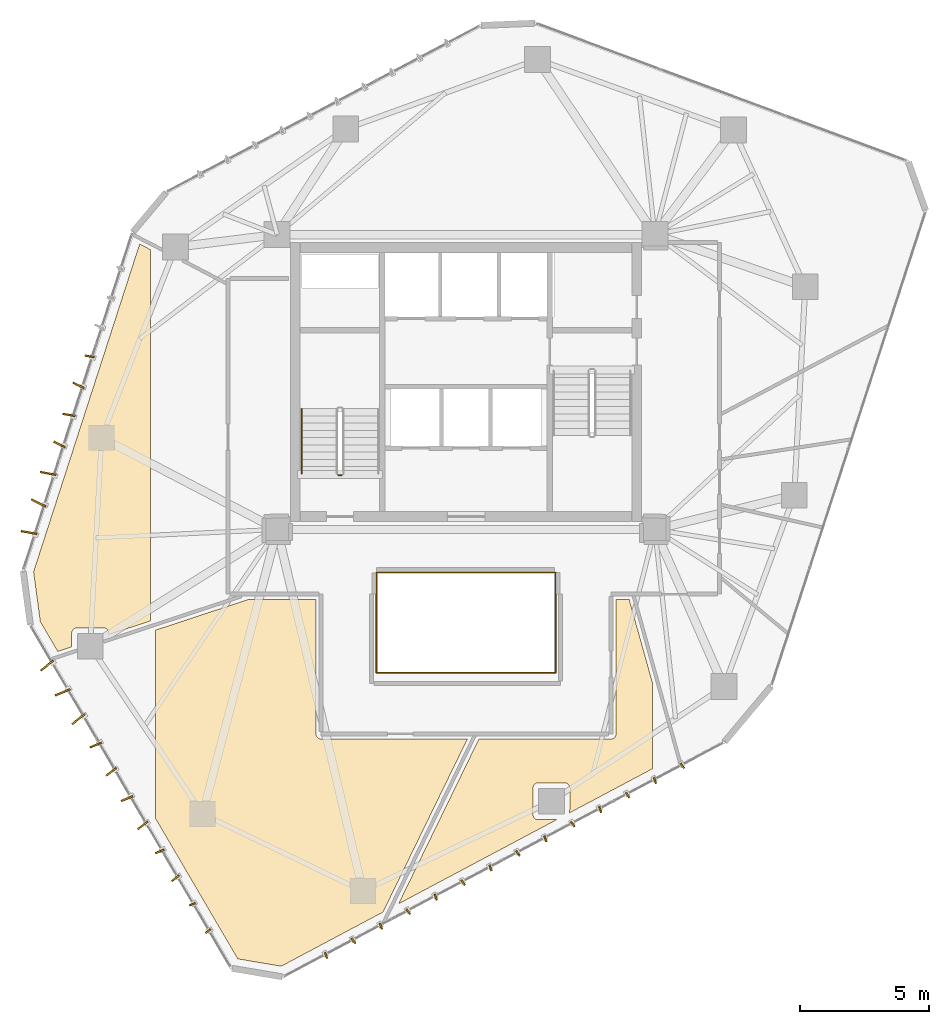
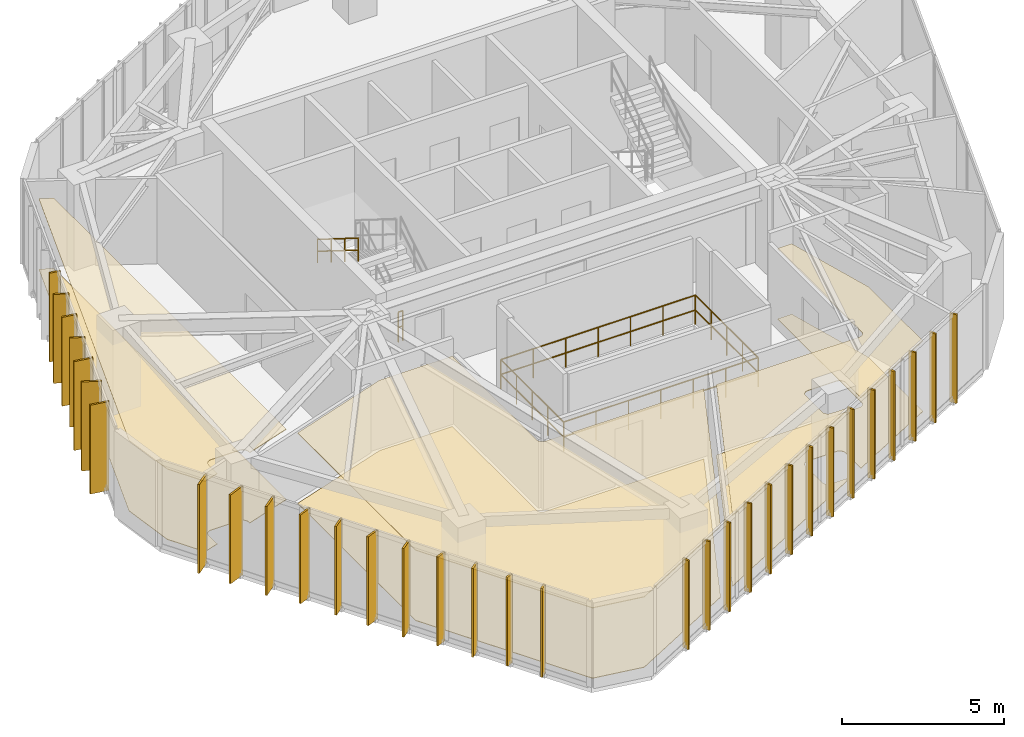
# One storey, part 18 of 19: 32 shading devices, 6 coverings, 6 railings.
"""IFC4 building model written with IfcOpenShell, lengths in metres."""

from ifc_helpers import new_model, si_unit, direction, frame, origin, origin_2d, place, context, subcontext, project, spatial, polyline, rectangle, circle, outline, extrude, source, transform, mapped, material, layer, layer_set, type_object, type_shapes, element, save


model = new_model("IFC4")

# Units and contexts
model_context = context("Model", 3, precision=1e-05, world=origin(), true_north=direction((0.0, 1.0)))
body_context = subcontext(model_context, "Body", "Model", "MODEL_VIEW")
ifc_project = project(units=[si_unit("LENGTHUNIT", "METRE"), si_unit("AREAUNIT", "SQUARE_METRE"), si_unit("VOLUMEUNIT", "CUBIC_METRE"), si_unit("PLANEANGLEUNIT", "RADIAN"), si_unit("MASSUNIT", "GRAM", prefix="KILO")], contexts=[model_context])

# Site, building, storey
site_placement = place(None, origin())
site = spatial("IfcSite", under=ifc_project, at=site_placement, CompositionType="ELEMENT")
building_placement = place(site_placement, origin())
building = spatial("IfcBuilding", under=site, at=building_placement, Name="Talar Marvaseh", CompositionType="ELEMENT")
storey_placement = place(building_placement, frame((0.0, 0.0, 174.0)))
storey = spatial("IfcBuildingStorey", under=building, at=storey_placement, Name="L45", CompositionType="ELEMENT", Elevation=174.0)

# Railings
ifc_material_1 = material(Name="Stainless Steel Grade 316", Category="steel")
railing_type_1 = type_object("IfcRailingType", Name="Brushed Stainless Wall Pitch Handrail 900", PredefinedType="HANDRAIL", material=ifc_material_1)
railing_1_placement = place(storey_placement, frame((19.64990234375, 30.169921875, 1.925048828125)))
element("IfcRailing", 1, at=railing_1_placement, inside=storey, type_object=railing_type_1, Name="L45 ST-1 stair handrail 2", PredefinedType="HANDRAIL", context=body_context, shape_type="SweptSolid", body=[
    extrude(circle(Radius=0.02392578125, at=origin_2d()), frame((0.0, 0.0, 0.8759765625), z_axis=(0.0, -0.848007534815, 0.529984170421), x_axis=(1.0, 0.0, 0.0)), (0.0, 0.0, 1.0), 2.9716796875),
    extrude(circle(Radius=0.02392578125, at=origin_2d()), frame((0.0, 0.0, 0.42578125), z_axis=(0.0, -0.848007534815, 0.529984170421), x_axis=(1.0, 0.0, 0.0)), (0.0, 0.0, 1.0), 2.9716796875),
    extrude(circle(Radius=0.02099609375, at=origin_2d()), origin(), (0.0, 0.0, 1.0), 0.851806640625),
    extrude(circle(Radius=0.02099609375, at=origin_2d()), frame((0.0, -0.840087890625, 0.52490234375)), (0.0, 0.0, 1.0), 0.851806640625),
    extrude(circle(Radius=0.02099609375, at=origin_2d()), frame((0.0, -1.679931640625, 1.050048828125)), (0.0, 0.0, 1.0), 0.851806640625),
    extrude(circle(Radius=0.02099609375, at=origin_2d()), frame((0.0, -2.52001953125, 1.574951171875)), (0.0, 0.0, 1.0), 0.851806640625),
])
ifc_material_2 = material(Name="Tempered Clear Glass", Category="glass")
railing_type_2 = type_object("IfcRailingType", Name="Interior Atrium Edge Balustrade 1120", PredefinedType="BALUSTRADE", material=ifc_material_2)
railing_2_placement = place(storey_placement, frame((22.5302734375, 19.9609375, 0.0)))
element("IfcRailing", 2, at=railing_2_placement, inside=storey, type_object=railing_type_2, Name="L45 Internal Daylight Atrium Balustrade 1", PredefinedType="BALUSTRADE", context=body_context, shape_type="SweptSolid", body=[
    extrude(circle(Radius=0.02392578125, at=origin_2d()), frame((0.0, 0.0, 1.09619140625), z_axis=(1.0, 0.0, 0.0), x_axis=(0.0, 1.0, 0.0)), (0.0, 0.0, 1.0), 6.939453125),
    extrude(circle(Radius=0.02392578125, at=origin_2d()), frame((0.0, 0.0, 0.5361328125), z_axis=(1.0, 0.0, 0.0), x_axis=(0.0, 1.0, 0.0)), (0.0, 0.0, 1.0), 6.939453125),
    extrude(circle(Radius=0.02099609375, at=origin_2d()), origin(), (0.0, 0.0, 1.0), 1.072021484375),
    extrude(circle(Radius=0.02099609375, at=origin_2d()), frame((1.156494140625, 0.0, 0.0)), (0.0, 0.0, 1.0), 1.072021484375),
    extrude(circle(Radius=0.02099609375, at=origin_2d()), frame((2.313232421875, 0.0, 0.0)), (0.0, 0.0, 1.0), 1.072021484375),
    extrude(circle(Radius=0.02099609375, at=origin_2d()), frame((3.4697265625, 0.0, 0.0)), (0.0, 0.0, 1.0), 1.072021484375),
    extrude(circle(Radius=0.02099609375, at=origin_2d()), frame((4.626220703125, 0.0, 0.0)), (0.0, 0.0, 1.0), 1.072021484375),
    extrude(circle(Radius=0.02099609375, at=origin_2d()), frame((5.782958984375, 0.0, 0.0)), (0.0, 0.0, 1.0), 1.072021484375),
    extrude(circle(Radius=0.02099609375, at=origin_2d()), frame((6.939453125, 0.0, 0.0)), (0.0, 0.0, 1.0), 1.072021484375),
])
railing_3_placement = place(storey_placement, frame((29.4697265625, 19.9609375, 0.0)))
element("IfcRailing", 3, at=railing_3_placement, inside=storey, type_object=railing_type_2, Name="L45 Internal Daylight Atrium Balustrade 2", PredefinedType="BALUSTRADE", context=body_context, shape_type="SweptSolid", body=[
    extrude(circle(Radius=0.02392578125, at=origin_2d()), frame((0.0, 0.0, 1.09619140625), z_axis=(0.0, 1.0, 0.0), x_axis=(-1.0, 0.0, 0.0)), (0.0, 0.0, 1.0), 3.878173828125),
    extrude(circle(Radius=0.02392578125, at=origin_2d()), frame((0.0, 0.0, 0.5361328125), z_axis=(0.0, 1.0, 0.0), x_axis=(-1.0, 0.0, 0.0)), (0.0, 0.0, 1.0), 3.878173828125),
    extrude(circle(Radius=0.02099609375, at=origin_2d()), origin(), (0.0, 0.0, 1.0), 1.072021484375),
    extrude(circle(Radius=0.02099609375, at=origin_2d()), frame((0.0, 0.969482421875, 0.0)), (0.0, 0.0, 1.0), 1.072021484375),
    extrude(circle(Radius=0.02099609375, at=origin_2d()), frame((0.0, 1.93896484375, 0.0)), (0.0, 0.0, 1.0), 1.072021484375),
    extrude(circle(Radius=0.02099609375, at=origin_2d()), frame((0.0, 2.90869140625, 0.0)), (0.0, 0.0, 1.0), 1.072021484375),
    extrude(circle(Radius=0.02099609375, at=origin_2d()), frame((0.0, 3.878173828125, 0.0)), (0.0, 0.0, 1.0), 1.072021484375),
])
railing_4_placement = place(storey_placement, frame((29.4697265625, 23.839111328125, 0.0)))
element("IfcRailing", 4, at=railing_4_placement, inside=storey, type_object=railing_type_2, Name="L45 Internal Daylight Atrium Balustrade 3", PredefinedType="BALUSTRADE", context=body_context, shape_type="SweptSolid", body=[
    extrude(circle(Radius=0.02392578125, at=origin_2d()), frame((0.0, 0.0, 1.09619140625), z_axis=(-1.0, 0.0, 0.0), x_axis=(0.0, -1.0, 0.0)), (0.0, 0.0, 1.0), 6.939453125),
    extrude(circle(Radius=0.02392578125, at=origin_2d()), frame((0.0, 0.0, 0.5361328125), z_axis=(-1.0, 0.0, 0.0), x_axis=(0.0, -1.0, 0.0)), (0.0, 0.0, 1.0), 6.939453125),
    extrude(circle(Radius=0.02099609375, at=origin_2d()), origin(), (0.0, 0.0, 1.0), 1.072021484375),
    extrude(circle(Radius=0.02099609375, at=origin_2d()), frame((-1.156494140625, 0.0, 0.0)), (0.0, 0.0, 1.0), 1.072021484375),
    extrude(circle(Radius=0.02099609375, at=origin_2d()), frame((-2.313232421875, 0.0, 0.0)), (0.0, 0.0, 1.0), 1.072021484375),
    extrude(circle(Radius=0.02099609375, at=origin_2d()), frame((-3.4697265625, 0.0, 0.0)), (0.0, 0.0, 1.0), 1.072021484375),
    extrude(circle(Radius=0.02099609375, at=origin_2d()), frame((-4.626220703125, 0.0, 0.0)), (0.0, 0.0, 1.0), 1.072021484375),
    extrude(circle(Radius=0.02099609375, at=origin_2d()), frame((-5.782958984375, 0.0, 0.0)), (0.0, 0.0, 1.0), 1.072021484375),
    extrude(circle(Radius=0.02099609375, at=origin_2d()), frame((-6.939453125, 0.0, 0.0)), (0.0, 0.0, 1.0), 1.072021484375),
])
railing_5_placement = place(storey_placement, frame((22.5302734375, 23.839111328125, 0.0)))
element("IfcRailing", 5, at=railing_5_placement, inside=storey, type_object=railing_type_2, Name="L45 Internal Daylight Atrium Balustrade 4", PredefinedType="BALUSTRADE", context=body_context, shape_type="SweptSolid", body=[
    extrude(circle(Radius=0.02392578125, at=origin_2d()), frame((0.0, 0.0, 1.09619140625), z_axis=(0.0, -1.0, 0.0), x_axis=(1.0, 0.0, 0.0)), (0.0, 0.0, 1.0), 3.878173828125),
    extrude(circle(Radius=0.02392578125, at=origin_2d()), frame((0.0, 0.0, 0.5361328125), z_axis=(0.0, -1.0, 0.0), x_axis=(1.0, 0.0, 0.0)), (0.0, 0.0, 1.0), 3.878173828125),
    extrude(circle(Radius=0.02099609375, at=origin_2d()), origin(), (0.0, 0.0, 1.0), 1.072021484375),
    extrude(circle(Radius=0.02099609375, at=origin_2d()), frame((0.0, -0.969482421875, 0.0)), (0.0, 0.0, 1.0), 1.072021484375),
    extrude(circle(Radius=0.02099609375, at=origin_2d()), frame((0.0, -1.93896484375, 0.0)), (0.0, 0.0, 1.0), 1.072021484375),
    extrude(circle(Radius=0.02099609375, at=origin_2d()), frame((0.0, -2.90869140625, 0.0)), (0.0, 0.0, 1.0), 1.072021484375),
    extrude(circle(Radius=0.02099609375, at=origin_2d()), frame((0.0, -3.878173828125, 0.0)), (0.0, 0.0, 1.0), 1.072021484375),
])
railing_type_3 = type_object("IfcRailingType", Name="Painted Steel Core Stair Well Guardrail 1150", PredefinedType="GUARDRAIL", material=ifc_material_1)
railing_6_placement = place(storey_placement, frame((21.2099609375, 27.60009765625, 0.0)))
element("IfcRailing", 6, at=railing_6_placement, inside=storey, type_object=railing_type_3, Name="L45 ST-1 stair guard 4", PredefinedType="GUARDRAIL", context=body_context, shape_type="SweptSolid", body=[
    extrude(circle(Radius=0.02392578125, at=origin_2d()), frame((0.0, 0.0, 1.1259765625), z_axis=(-1.0, 0.0, 0.0), x_axis=(0.0, -1.0, 0.0)), (0.0, 0.0, 1.0), 0.159912109375),
    extrude(circle(Radius=0.02392578125, at=origin_2d()), frame((0.0, 0.0, 0.55078125), z_axis=(-1.0, 0.0, 0.0), x_axis=(0.0, -1.0, 0.0)), (0.0, 0.0, 1.0), 0.159912109375),
    extrude(circle(Radius=0.02099609375, at=origin_2d()), origin(), (0.0, 0.0, 1.0), 1.101806640625),
    extrude(circle(Radius=0.02099609375, at=origin_2d()), frame((-0.159912109375, 0.0, 0.0)), (0.0, 0.0, 1.0), 1.101806640625),
])

# Coverings
ifc_material_3 = material(Name="Mineral Fibre Acoustic Ceiling")
ifc_layer_1 = layer(ifc_material_3, 0.02490234375)
ifc_layer_set_1 = layer_set([ifc_layer_1], Name="Mineral Fibre Acoustic Ceiling")
covering_type_1 = type_object("IfcCoveringType", Name="Perforated Mineral Fibre Acoustic Suspended Ceiling", PredefinedType="CEILING", material=ifc_layer_set_1)
covering_1_placement = place(storey_placement, frame((0.0, 0.0, 2.64990234375)))
element("IfcCovering", 7, at=covering_1_placement, inside=storey, type_object=covering_type_1, Name="L45 Seminar Room Acoustic Ceiling", PredefinedType="CEILING", context=body_context, shape_type="SweptSolid", body=[
    extrude(outline(polyline([(14.0, 21.610107421875), (17.603759765625, 22.800048828125), (20.199951171875, 22.800048828125), (20.199951171875, 17.60009765625), (20.200927734375, 17.580322265625), (20.203857421875, 17.56103515625), (20.20849609375, 17.5419921875), (20.215087890625, 17.5234375), (20.2236328125, 17.505615234375), (20.233642578125, 17.489013671875), (20.245361328125, 17.47314453125), (20.258544921875, 17.45849609375), (20.273193359375, 17.4453125), (20.288818359375, 17.43359375), (20.3056640625, 17.423583984375), (20.323486328125, 17.415283203125), (20.341796875, 17.40869140625), (20.361083984375, 17.40380859375), (20.38037109375, 17.40087890625), (20.39990234375, 17.39990234375), (26.0537109375, 17.39990234375), (22.7919921875, 10.709716796875), (18.856201171875, 8.6162109375), (17.1767578125, 8.899658203125), (14.0, 14.32568359375), (14.0, 21.610107421875)])), origin(), (0.0, 0.0, 1.0), 0.025146484375),
])
covering_2_placement = place(storey_placement, frame((0.0, 0.0, 2.64990234375)))
element("IfcCovering", 8, at=covering_2_placement, inside=storey, type_object=covering_type_1, Name="L45 Museum Publication Bookshop Acoustic Ceiling", PredefinedType="CEILING", context=body_context, shape_type="SweptSolid", body=[
    extrude(outline(polyline([(31.61962890625, 17.40087890625), (31.638916015625, 17.40380859375), (31.658203125, 17.40869140625), (31.676513671875, 17.415283203125), (31.6943359375, 17.423583984375), (31.711181640625, 17.43359375), (31.726806640625, 17.4453125), (31.741455078125, 17.45849609375), (31.754638671875, 17.47314453125), (31.766357421875, 17.489013671875), (31.7763671875, 17.505615234375), (31.784912109375, 17.5234375), (31.79150390625, 17.5419921875), (31.796142578125, 17.56103515625), (31.799072265625, 17.580322265625), (31.800048828125, 17.60009765625), (31.800048828125, 22.800048828125), (32.30615234375, 22.800048828125), (33.199951171875, 19.60205078125), (33.199951171875, 16.245849609375), (30.010009765625, 14.549072265625), (30.013916015625, 15.49462890625), (30.01318359375, 15.51318359375), (30.010498046875, 15.53173828125), (30.00634765625, 15.5498046875), (30.00048828125, 15.567626953125), (29.992919921875, 15.584716796875), (29.98388671875, 15.600830078125), (29.973388671875, 15.6162109375), (29.96142578125, 15.630615234375), (29.9482421875, 15.643798828125), (29.933349609375, 15.6572265625), (29.9189453125, 15.6689453125), (29.90380859375, 15.679443359375), (29.887451171875, 15.688232421875), (29.87060546875, 15.69580078125), (29.85302734375, 15.70166015625), (29.8349609375, 15.705810546875), (29.816650390625, 15.708251953125), (29.798095703125, 15.708984375), (28.78759765625, 15.70458984375), (28.76806640625, 15.70361328125), (28.74853515625, 15.70068359375), (28.729736328125, 15.69580078125), (28.711181640625, 15.689208984375), (28.693603515625, 15.6806640625), (28.6767578125, 15.670654296875), (28.6611328125, 15.658935546875), (28.646728515625, 15.645751953125), (28.633544921875, 15.631103515625), (28.621826171875, 15.615478515625), (28.61181640625, 15.5986328125), (28.603515625, 15.580810546875), (28.596923828125, 15.5625), (28.59228515625, 15.54345703125), (28.58935546875, 15.524169921875), (28.58837890625, 15.504638671875), (28.58837890625, 14.4833984375), (28.58935546875, 14.4638671875), (28.59228515625, 14.4443359375), (28.596923828125, 14.42529296875), (28.603515625, 14.406982421875), (28.612060546875, 14.38916015625), (28.6220703125, 14.372314453125), (28.6337890625, 14.3564453125), (28.64697265625, 14.342041015625), (28.66162109375, 14.328857421875), (28.67724609375, 14.317138671875), (28.694091796875, 14.306884765625), (28.7119140625, 14.298583984375), (28.730224609375, 14.2919921875), (28.74951171875, 14.287109375), (28.768798828125, 14.284423828125), (28.788330078125, 14.283447265625), (29.510498046875, 14.283447265625), (23.392822265625, 11.029296875), (26.49853515625, 17.39990234375), (31.60009765625, 17.39990234375), (31.61962890625, 17.40087890625)])), origin(), (0.0, 0.0, 1.0), 0.025146484375),
])
covering_3_placement = place(storey_placement, frame((0.0, 0.0, 2.64990234375)))
element("IfcCovering", 9, at=covering_3_placement, inside=storey, type_object=covering_type_1, Name="L45 Archival Facsimile Boutique Acoustic Ceiling", PredefinedType="CEILING", context=body_context, shape_type="SweptSolid", body=[
    extrude(outline(polyline([(13.800048828125, 36.31884765625), (13.800048828125, 21.96533203125), (12.18701171875, 21.432861328125), (12.18701171875, 21.486083984375), (12.185791015625, 21.507080078125), (12.1826171875, 21.528076171875), (12.177001953125, 21.54833984375), (12.16943359375, 21.568115234375), (12.15966796875, 21.5869140625), (12.148193359375, 21.6044921875), (12.137451171875, 21.618896484375), (12.125732421875, 21.633544921875), (12.112548828125, 21.64697265625), (12.098388671875, 21.658935546875), (12.0830078125, 21.669677734375), (12.066650390625, 21.678955078125), (12.049560546875, 21.6865234375), (12.03173828125, 21.692626953125), (12.013671875, 21.697021484375), (11.9951171875, 21.699462890625), (11.976318359375, 21.700439453125), (10.967529296875, 21.700439453125), (10.948974609375, 21.699462890625), (10.930419921875, 21.697021484375), (10.912109375, 21.692626953125), (10.894287109375, 21.6865234375), (10.87744140625, 21.678955078125), (10.861083984375, 21.669677734375), (10.845703125, 21.658935546875), (10.831298828125, 21.64697265625), (10.818359375, 21.633544921875), (10.806396484375, 21.618896484375), (10.7958984375, 21.6044921875), (10.7841796875, 21.5869140625), (10.774658203125, 21.568115234375), (10.76708984375, 21.54833984375), (10.761474609375, 21.528076171875), (10.758056640625, 21.507080078125), (10.757080078125, 21.486083984375), (10.757080078125, 20.960693359375), (10.219482421875, 20.783203125), (9.541748046875, 21.94091796875), (9.283935546875, 23.86669921875), (13.383544921875, 36.535400390625), (13.800048828125, 36.31884765625)])), origin(), (0.0, 0.0, 1.0), 0.025146484375),
])
ifc_material_4 = material(Name="Porcelain Stoneware Tile", Category="masonry")
ifc_layer_2 = layer(ifc_material_4, 0.02001953125)
ifc_layer_set_2 = layer_set([ifc_layer_2], Name="Porcelain Stoneware Tile")
covering_type_2 = type_object("IfcCoveringType", Name="Polished Porcelain Stoneware Gallery Flooring", PredefinedType="FLOORING", material=ifc_layer_set_2)
covering_4_placement = place(storey_placement, origin())
element("IfcCovering", 10, at=covering_4_placement, inside=storey, type_object=covering_type_2, Name="L45 Seminar Room Flooring", PredefinedType="FLOORING", context=body_context, shape_type="SweptSolid", body=[
    extrude(outline(polyline([(14.0, 21.610107421875), (17.603759765625, 22.800048828125), (20.199951171875, 22.800048828125), (20.199951171875, 17.60009765625), (20.200927734375, 17.580322265625), (20.203857421875, 17.56103515625), (20.20849609375, 17.5419921875), (20.215087890625, 17.5234375), (20.2236328125, 17.505615234375), (20.233642578125, 17.489013671875), (20.245361328125, 17.47314453125), (20.258544921875, 17.45849609375), (20.273193359375, 17.4453125), (20.288818359375, 17.43359375), (20.3056640625, 17.423583984375), (20.323486328125, 17.415283203125), (20.341796875, 17.40869140625), (20.361083984375, 17.40380859375), (20.38037109375, 17.40087890625), (20.39990234375, 17.39990234375), (26.0537109375, 17.39990234375), (22.7919921875, 10.709716796875), (18.856201171875, 8.6162109375), (17.1767578125, 8.899658203125), (14.0, 14.32568359375), (14.0, 21.610107421875)])), origin(), (0.0, 0.0, 1.0), 0.02001953125),
])
covering_5_placement = place(storey_placement, origin())
element("IfcCovering", 11, at=covering_5_placement, inside=storey, type_object=covering_type_2, Name="L45 Museum Publication Bookshop Flooring", PredefinedType="FLOORING", context=body_context, shape_type="SweptSolid", body=[
    extrude(outline(polyline([(31.61962890625, 17.40087890625), (31.638916015625, 17.40380859375), (31.658203125, 17.40869140625), (31.676513671875, 17.415283203125), (31.6943359375, 17.423583984375), (31.711181640625, 17.43359375), (31.726806640625, 17.4453125), (31.741455078125, 17.45849609375), (31.754638671875, 17.47314453125), (31.766357421875, 17.489013671875), (31.7763671875, 17.505615234375), (31.784912109375, 17.5234375), (31.79150390625, 17.5419921875), (31.796142578125, 17.56103515625), (31.799072265625, 17.580322265625), (31.800048828125, 17.60009765625), (31.800048828125, 22.800048828125), (32.30615234375, 22.800048828125), (33.199951171875, 19.60205078125), (33.199951171875, 16.245849609375), (30.010009765625, 14.549072265625), (30.013916015625, 15.49462890625), (30.01318359375, 15.51318359375), (30.010498046875, 15.53173828125), (30.00634765625, 15.5498046875), (30.00048828125, 15.567626953125), (29.992919921875, 15.584716796875), (29.98388671875, 15.600830078125), (29.973388671875, 15.6162109375), (29.96142578125, 15.630615234375), (29.9482421875, 15.643798828125), (29.933349609375, 15.6572265625), (29.9189453125, 15.6689453125), (29.90380859375, 15.679443359375), (29.887451171875, 15.688232421875), (29.87060546875, 15.69580078125), (29.85302734375, 15.70166015625), (29.8349609375, 15.705810546875), (29.816650390625, 15.708251953125), (29.798095703125, 15.708984375), (28.78759765625, 15.70458984375), (28.76806640625, 15.70361328125), (28.74853515625, 15.70068359375), (28.729736328125, 15.69580078125), (28.711181640625, 15.689208984375), (28.693603515625, 15.6806640625), (28.6767578125, 15.670654296875), (28.6611328125, 15.658935546875), (28.646728515625, 15.645751953125), (28.633544921875, 15.631103515625), (28.621826171875, 15.615478515625), (28.61181640625, 15.5986328125), (28.603515625, 15.580810546875), (28.596923828125, 15.5625), (28.59228515625, 15.54345703125), (28.58935546875, 15.524169921875), (28.58837890625, 15.504638671875), (28.58837890625, 14.4833984375), (28.58935546875, 14.4638671875), (28.59228515625, 14.4443359375), (28.596923828125, 14.42529296875), (28.603515625, 14.406982421875), (28.612060546875, 14.38916015625), (28.6220703125, 14.372314453125), (28.6337890625, 14.3564453125), (28.64697265625, 14.342041015625), (28.66162109375, 14.328857421875), (28.67724609375, 14.317138671875), (28.694091796875, 14.306884765625), (28.7119140625, 14.298583984375), (28.730224609375, 14.2919921875), (28.74951171875, 14.287109375), (28.768798828125, 14.284423828125), (28.788330078125, 14.283447265625), (29.510498046875, 14.283447265625), (23.392822265625, 11.029296875), (26.49853515625, 17.39990234375), (31.60009765625, 17.39990234375), (31.61962890625, 17.40087890625)])), origin(), (0.0, 0.0, 1.0), 0.02001953125),
])
covering_6_placement = place(storey_placement, origin())
element("IfcCovering", 12, at=covering_6_placement, inside=storey, type_object=covering_type_2, Name="L45 Archival Facsimile Boutique Flooring", PredefinedType="FLOORING", context=body_context, shape_type="SweptSolid", body=[
    extrude(outline(polyline([(13.800048828125, 36.31884765625), (13.800048828125, 21.96533203125), (12.18701171875, 21.432861328125), (12.18701171875, 21.486083984375), (12.185791015625, 21.507080078125), (12.1826171875, 21.528076171875), (12.177001953125, 21.54833984375), (12.16943359375, 21.568115234375), (12.15966796875, 21.5869140625), (12.148193359375, 21.6044921875), (12.137451171875, 21.618896484375), (12.125732421875, 21.633544921875), (12.112548828125, 21.64697265625), (12.098388671875, 21.658935546875), (12.0830078125, 21.669677734375), (12.066650390625, 21.678955078125), (12.049560546875, 21.6865234375), (12.03173828125, 21.692626953125), (12.013671875, 21.697021484375), (11.9951171875, 21.699462890625), (11.976318359375, 21.700439453125), (10.967529296875, 21.700439453125), (10.948974609375, 21.699462890625), (10.930419921875, 21.697021484375), (10.912109375, 21.692626953125), (10.894287109375, 21.6865234375), (10.87744140625, 21.678955078125), (10.861083984375, 21.669677734375), (10.845703125, 21.658935546875), (10.831298828125, 21.64697265625), (10.818359375, 21.633544921875), (10.806396484375, 21.618896484375), (10.7958984375, 21.6044921875), (10.7841796875, 21.5869140625), (10.774658203125, 21.568115234375), (10.76708984375, 21.54833984375), (10.761474609375, 21.528076171875), (10.758056640625, 21.507080078125), (10.757080078125, 21.486083984375), (10.757080078125, 20.960693359375), (10.219482421875, 20.783203125), (9.541748046875, 21.94091796875), (9.283935546875, 23.86669921875), (13.383544921875, 36.535400390625), (13.800048828125, 36.31884765625)])), origin(), (0.0, 0.0, 1.0), 0.02001953125),
])

# Shading devices
ifc_material_5 = material(Name="Anodised Champagne Bronze Aluminium", Category="aluminium")
ifc_layer_3 = layer(ifc_material_5, 0.06494140625)
ifc_layer_set_3 = layer_set([ifc_layer_3], Name="Anodised Champagne Bronze Aluminium")
shading_device_type_1 = type_object("IfcShadingDeviceType", Name="Sawtooth Champagne Bronze Vertical Fin 240", PredefinedType="USERDEFINED", material=ifc_layer_set_3)
shared_shape_1 = source(origin(), body_context, "Body", "SweptSolid", [
    extrude(rectangle(XDim=0.239990234375, YDim=0.06494140625, at=origin_2d()), origin(), (0.0, 0.0, 1.0), 3.35009765625),
])
type_shapes(shading_device_type_1, [shared_shape_1])
for number, where, z_axis, x_axis, name in (
    (13, (16.029296875, 9.978515625, -0.1201171875), (0.0, 0.0, 1.0), (-0.784235212544, -0.620463642292, 0.0), "L45 Sawtooth Vertical Solar Fin"),
    (14, (15.423095703125, 11.013916015625, -0.1201171875), (0.0, 0.0, 1.0), (-0.924878228167, -0.380263412733, 0.0), "L45 Sawtooth Vertical Solar Fin"),
    (15, (34.364013671875, 16.36083984375, -0.1201171875), (0.0, 0.0, 1.0), (0.587926443442, -0.808914394174, 0.0), "L45 Sawtooth Vertical Solar Fin"),
    (16, (33.304443359375, 15.79736328125, -0.1201171875), (0.0, 0.0, 1.0), (0.342184145417, -0.939632912698, 0.0), "L45 Sawtooth Vertical Solar Fin"),
    (17, (32.2451171875, 15.23388671875, -0.1201171875), (0.0, 0.0, 1.0), (0.587926443442, -0.808914394174, 0.0), "L45 Sawtooth Vertical Solar Fin"),
    (18, (31.185546875, 14.67041015625, -0.1201171875), (0.0, 0.0, 1.0), (0.342184145417, -0.939632912698, 0.0), "L45 Sawtooth Vertical Solar Fin"),
    (19, (30.126220703125, 14.106689453125, -0.1201171875), (0.0, 0.0, 1.0), (0.587926443442, -0.808914394174, 0.0), "L45 Sawtooth Vertical Solar Fin"),
    (20, (29.066650390625, 13.543212890625, -0.1201171875), (0.0, 0.0, 1.0), (0.342184145417, -0.939632912698, 0.0), "L45 Sawtooth Vertical Solar Fin"),
    (21, (28.007080078125, 12.979736328125, -0.1201171875), (0.0, 0.0, 1.0), (0.587926443442, -0.808914394174, 0.0), "L45 Sawtooth Vertical Solar Fin"),
    (22, (26.94775390625, 12.416259765625, -0.1201171875), (0.0, 0.0, 1.0), (0.342184145417, -0.939632912698, 0.0), "L45 Sawtooth Vertical Solar Fin"),
    (23, (25.88818359375, 11.852783203125, -0.1201171875), (0.0, 0.0, 1.0), (0.587926443442, -0.808914394174, 0.0), "L45 Sawtooth Vertical Solar Fin"),
    (24, (24.828857421875, 11.2890625, -0.1201171875), (0.0, 0.0, 1.0), (0.342184145417, -0.939632912698, 0.0), "L45 Sawtooth Vertical Solar Fin"),
    (25, (23.769287109375, 10.7255859375, -0.1201171875), (0.0, 0.0, 1.0), (0.587926443442, -0.808914394174, 0.0), "L45 Sawtooth Vertical Solar Fin"),
    (26, (22.7099609375, 10.162109375, -0.1201171875), (0.0, 0.0, 1.0), (0.342184145417, -0.939632912698, 0.0), "L45 Sawtooth Vertical Solar Fin"),
    (27, (21.650390625, 9.598388671875, -0.1201171875), (0.0, 0.0, 1.0), (0.587926443442, -0.808914394174, 0.0), "L45 Sawtooth Vertical Solar Fin"),
    (28, (20.591064453125, 9.034912109375, -0.1201171875), (0.0, 0.0, 1.0), (0.342184145417, -0.939632912698, 0.0), "L45 Sawtooth Vertical Solar Fin"),
):
    element("IfcShadingDevice", number, at=place(storey_placement, frame(where, z_axis=z_axis, x_axis=x_axis)), inside=storey, type_object=shading_device_type_1, Name=name, ObjectType="FIN", PredefinedType="USERDEFINED", context=body_context, shape_type="MappedRepresentation", body=[
        mapped(shared_shape_1, transform((0.0, 0.0, 0.0), x_axis=(1.0, 0.0, 0.0), y_axis=(0.0, 1.0, 0.0), z_axis=(0.0, 0.0, 1.0), scale=1.0)),
    ])
ifc_layer_4 = layer(ifc_material_5, 0.06494140625)
ifc_layer_set_4 = layer_set([ifc_layer_4], Name="Anodised Champagne Bronze Aluminium")
shading_device_type_2 = type_object("IfcShadingDeviceType", Name="Sawtooth Champagne Bronze Vertical Fin 360", PredefinedType="USERDEFINED", material=ifc_layer_set_4)
shared_shape_2 = source(origin(), body_context, "Body", "SweptSolid", [
    extrude(rectangle(XDim=0.360107421875, YDim=0.06494140625, at=origin_2d()), origin(), (0.0, 0.0, 1.0), 3.35009765625),
])
type_shapes(shading_device_type_2, [shared_shape_2])
for number, where, z_axis, x_axis, name in (
    (29, (14.76513671875, 12.019287109375, -0.1201171875), (0.0, 0.0, 1.0), (-0.784235212544, -0.620463642292, 0.0), "L45 Sawtooth Vertical Solar Fin"),
    (30, (14.15869140625, 13.054931640625, -0.1201171875), (0.0, 0.0, 1.0), (-0.924878228167, -0.380263412733, 0.0), "L45 Sawtooth Vertical Solar Fin"),
    (31, (11.44775390625, 32.19384765625, -0.1201171875), (0.0, 0.0, 1.0), (-0.985019169256, 0.172444878725, 0.0), "L45 Sawtooth Vertical Solar Fin"),
):
    element("IfcShadingDevice", number, at=place(storey_placement, frame(where, z_axis=z_axis, x_axis=x_axis)), inside=storey, type_object=shading_device_type_2, Name=name, ObjectType="FIN", PredefinedType="USERDEFINED", context=body_context, shape_type="MappedRepresentation", body=[
        mapped(shared_shape_2, transform((0.0, 0.0, 0.0), x_axis=(1.0, 0.0, 0.0), y_axis=(0.0, 1.0, 0.0), z_axis=(0.0, 0.0, 1.0), scale=1.0)),
    ])
ifc_layer_5 = layer(ifc_material_5, 0.06494140625)
ifc_layer_set_5 = layer_set([ifc_layer_5], Name="Anodised Champagne Bronze Aluminium")
shading_device_type_3 = type_object("IfcShadingDeviceType", Name="Sawtooth Champagne Bronze Vertical Fin 480", PredefinedType="USERDEFINED", material=ifc_layer_set_5)
shared_shape_3 = source(origin(), body_context, "Body", "SweptSolid", [
    extrude(rectangle(XDim=0.47998046875, YDim=0.06494140625, at=origin_2d()), origin(), (0.0, 0.0, 1.0), 3.35009765625),
])
type_shapes(shading_device_type_3, [shared_shape_3])
for number, where, z_axis, x_axis, name in (
    (32, (13.500732421875, 14.06005859375, -0.1201171875), (0.0, 0.0, 1.0), (-0.784235212544, -0.620463642292, 0.0), "L45 Sawtooth Vertical Solar Fin"),
    (33, (12.89453125, 15.095703125, -0.1201171875), (0.0, 0.0, 1.0), (-0.924878228167, -0.380263412733, 0.0), "L45 Sawtooth Vertical Solar Fin"),
    (34, (12.2880859375, 16.13134765625, -0.1201171875), (0.0, 0.0, 1.0), (-0.784235212544, -0.620463642292, 0.0), "L45 Sawtooth Vertical Solar Fin"),
    (35, (11.681884765625, 17.1669921875, -0.1201171875), (0.0, 0.0, 1.0), (-0.924878228167, -0.380263412733, 0.0), "L45 Sawtooth Vertical Solar Fin"),
    (36, (10.2822265625, 28.787109375, -0.1201171875), (0.0, 0.0, 1.0), (-0.899328946775, 0.437272735822, 0.0), "L45 Sawtooth Vertical Solar Fin"),
    (37, (10.65185546875, 29.928955078125, -0.1201171875), (0.0, 0.0, 1.0), (-0.985019169256, 0.172444878725, 0.0), "L45 Sawtooth Vertical Solar Fin"),
    (38, (11.021240234375, 31.070556640625, -0.1201171875), (0.0, 0.0, 1.0), (-0.899328946775, 0.437272735822, 0.0), "L45 Sawtooth Vertical Solar Fin"),
):
    element("IfcShadingDevice", number, at=place(storey_placement, frame(where, z_axis=z_axis, x_axis=x_axis)), inside=storey, type_object=shading_device_type_3, Name=name, ObjectType="FIN", PredefinedType="USERDEFINED", context=body_context, shape_type="MappedRepresentation", body=[
        mapped(shared_shape_3, transform((0.0, 0.0, 0.0), x_axis=(1.0, 0.0, 0.0), y_axis=(0.0, 1.0, 0.0), z_axis=(0.0, 0.0, 1.0), scale=1.0)),
    ])
ifc_layer_6 = layer(ifc_material_5, 0.06494140625)
ifc_layer_set_6 = layer_set([ifc_layer_6], Name="Anodised Champagne Bronze Aluminium")
shading_device_type_4 = type_object("IfcShadingDeviceType", Name="Sawtooth Champagne Bronze Vertical Fin 620", PredefinedType="USERDEFINED", material=ifc_layer_set_6)
shared_shape_4 = source(origin(), body_context, "Body", "SweptSolid", [
    extrude(rectangle(XDim=0.6201171875, YDim=0.06494140625, at=origin_2d()), origin(), (0.0, 0.0, 1.0), 3.35009765625),
])
type_shapes(shading_device_type_4, [shared_shape_4])
for number, where, z_axis, x_axis, name in (
    (39, (11.015380859375, 18.1669921875, -0.1201171875), (0.0, 0.0, 1.0), (-0.784235212544, -0.620463642292, 0.0), "L45 Sawtooth Vertical Solar Fin"),
    (40, (10.408935546875, 19.20263671875, -0.1201171875), (0.0, 0.0, 1.0), (-0.924878228167, -0.380263412733, 0.0), "L45 Sawtooth Vertical Solar Fin"),
    (41, (9.802734375, 20.23828125, -0.1201171875), (0.0, 0.0, 1.0), (-0.784235212544, -0.620463642292, 0.0), "L45 Sawtooth Vertical Solar Fin"),
    (42, (9.107421875, 25.383544921875, -0.1201171875), (0.0, 0.0, 1.0), (-0.985019169256, 0.172444878725, 0.0), "L45 Sawtooth Vertical Solar Fin"),
    (43, (9.476806640625, 26.525390625, -0.1201171875), (0.0, 0.0, 1.0), (-0.899328946775, 0.437272735822, 0.0), "L45 Sawtooth Vertical Solar Fin"),
    (44, (9.84619140625, 27.6669921875, -0.1201171875), (0.0, 0.0, 1.0), (-0.985019169256, 0.172444878725, 0.0), "L45 Sawtooth Vertical Solar Fin"),
):
    element("IfcShadingDevice", number, at=place(storey_placement, frame(where, z_axis=z_axis, x_axis=x_axis)), inside=storey, type_object=shading_device_type_4, Name=name, ObjectType="FIN", PredefinedType="USERDEFINED", context=body_context, shape_type="MappedRepresentation", body=[
        mapped(shared_shape_4, transform((0.0, 0.0, 0.0), x_axis=(1.0, 0.0, 0.0), y_axis=(0.0, 1.0, 0.0), z_axis=(0.0, 0.0, 1.0), scale=1.0)),
    ])

save(model, "model.ifc")
